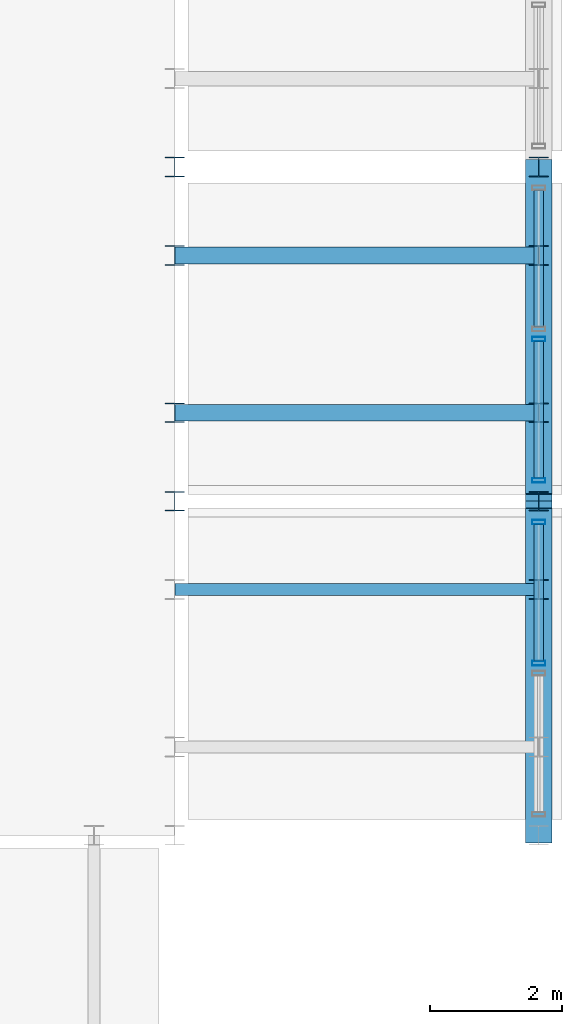
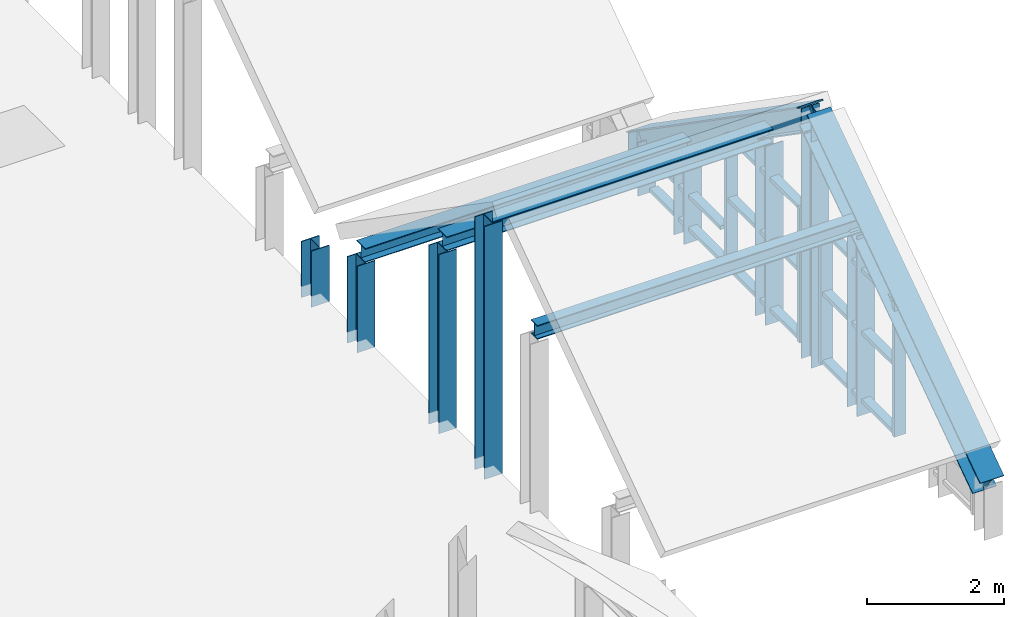
# One storey, part 5 of 21: 26 members, 3 elements without a shape of their own.
"""IFC4 building model written with IfcOpenShell, lengths in metres."""

from ifc_helpers import new_model, si_unit, direction, frame, origin, origin_2d, place, context, subcontext, project, spatial, hollow_rectangle, i_section, extrude, source, transform, mapped, material, layer, layer_set, material_profile, profile_set, type_object, element, aggregate, save


model = new_model("IFC4")

# Units and contexts
model_context = context("Model", 3, precision=1e-05, world=origin(), true_north=direction((0.0, 1.0)))
body_context = subcontext(model_context, "Body", "Model", "MODEL_VIEW")
ifc_project = project(units=[si_unit("LENGTHUNIT", "METRE"), si_unit("AREAUNIT", "SQUARE_METRE"), si_unit("VOLUMEUNIT", "CUBIC_METRE"), si_unit("PLANEANGLEUNIT", "RADIAN"), si_unit("MASSUNIT", "GRAM", prefix="KILO")], contexts=[model_context])

# Site, building, storey
site_placement = place(None, origin())
site = spatial("IfcSite", under=ifc_project, at=site_placement, CompositionType="ELEMENT")
building_placement = place(site_placement, origin())
building = spatial("IfcBuilding", under=site, at=building_placement, Name="Saelheon Loggia Tower", CompositionType="ELEMENT")
storey_placement = place(building_placement, frame((0.0, 0.0, 275.0)))
storey = spatial("IfcBuildingStorey", under=building, at=storey_placement, Name="ROOF", CompositionType="ELEMENT", Elevation=275.0)

# Members
ifc_material_1 = material(Name="Steel SM355", Category="steel")
ifc_material_profile_1 = material_profile(ifc_material_1, i_section(OverallWidth=0.300048828125, OverallDepth=0.300048828125, WebThickness=0.010009765625, FlangeThickness=0.014892578125, at=origin_2d()), Name="H-300x300x10x15")
ifc_profile_set_1 = profile_set([ifc_material_profile_1], Name="Steel SM355")
member_type_1 = type_object("IfcMemberType", Name="WaveCrest_Post_H300", PredefinedType="POST", material=ifc_profile_set_1)
shared_shape_1 = source(origin(), body_context, "Body", "SweptSolid", [
    extrude(i_section(OverallWidth=0.300048828125, OverallDepth=0.300048828125, WebThickness=0.010009765625, FlangeThickness=0.014892578125, at=origin_2d()), origin(), (0.0, 0.0, 1.0), 0.949951171875),
])
member_1_placement = place(storey_placement, frame((52.64990234375, 21.949951171875, -0.14990234375), z_axis=(0.0, 0.0, 1.0), x_axis=(1.0, 0.0, 0.0)))
element("IfcMember", 1, at=member_1_placement, inside=storey, type_object=member_type_1, Name="ROOF Wave Crest Outer Post E 02", PredefinedType="POST", context=body_context, shape_type="MappedRepresentation", body=[
    mapped(shared_shape_1, transform((0.0, 0.0, 0.0), scale=1.0)),
])
ifc_material_profile_2 = material_profile(ifc_material_1, i_section(OverallWidth=0.300048828125, OverallDepth=0.300048828125, WebThickness=0.010009765625, FlangeThickness=0.014892578125, at=origin_2d()), Name="H-300x300x10x15")
ifc_profile_set_2 = profile_set([ifc_material_profile_2], Name="Steel SM355")
member_type_2 = type_object("IfcMemberType", Name="Belt_Post_H300", PredefinedType="POST", material=ifc_profile_set_2)
shared_shape_2 = source(origin(), body_context, "Body", "SweptSolid", [
    extrude(i_section(OverallWidth=0.300048828125, OverallDepth=0.300048828125, WebThickness=0.010009765625, FlangeThickness=0.014892578125, at=origin_2d()), origin(), (0.0, 0.0, 1.0), 1.0),
])
member_2_placement = place(storey_placement, frame((47.14990234375, 21.949951171875, -0.199951171875), z_axis=(0.0, 0.0, 1.0), x_axis=(1.0, 0.0, 0.0)))
element("IfcMember", 2, at=member_2_placement, inside=storey, type_object=member_type_2, Name="ROOF Wave Crest Inner Post E 02", PredefinedType="POST", context=body_context, shape_type="MappedRepresentation", body=[
    mapped(shared_shape_2, transform((0.0, 0.0, 0.0), scale=1.0)),
])
shared_shape_3 = source(origin(), body_context, "Body", "SweptSolid", [
    extrude(i_section(OverallWidth=0.300048828125, OverallDepth=0.300048828125, WebThickness=0.010009765625, FlangeThickness=0.014892578125, at=origin_2d()), origin(), (0.0, 0.0, 1.0), 4.449951171875),
])
member_3_placement = place(storey_placement, frame((52.64990234375, 16.89990234375, -0.14990234375), z_axis=(0.0, 0.0, 1.0), x_axis=(1.0, 0.0, 0.0)))
element("IfcMember", 3, at=member_3_placement, inside=storey, type_object=member_type_1, Name="ROOF Wave Crest Outer Post E 01", PredefinedType="POST", context=body_context, shape_type="MappedRepresentation", body=[
    mapped(shared_shape_3, transform((0.0, 0.0, 0.0), scale=1.0)),
])
shared_shape_4 = source(origin(), body_context, "Body", "SweptSolid", [
    extrude(i_section(OverallWidth=0.300048828125, OverallDepth=0.300048828125, WebThickness=0.010009765625, FlangeThickness=0.014892578125, at=origin_2d()), origin(), (0.0, 0.0, 1.0), 4.5),
])
member_4_placement = place(storey_placement, frame((47.14990234375, 16.89990234375, -0.199951171875), z_axis=(0.0, 0.0, 1.0), x_axis=(1.0, 0.0, 0.0)))
element("IfcMember", 4, at=member_4_placement, inside=storey, type_object=member_type_2, Name="ROOF Wave Crest Inner Post E 01", PredefinedType="POST", context=body_context, shape_type="MappedRepresentation", body=[
    mapped(shared_shape_4, transform((0.0, 0.0, 0.0), scale=1.0)),
])
ifc_material_profile_3 = material_profile(ifc_material_1, i_section(OverallWidth=0.179931640625, OverallDepth=0.25, WebThickness=0.010009765625, FlangeThickness=0.01611328125, at=origin_2d()), Name="H-250x180x10x16")
ifc_profile_set_3 = profile_set([ifc_material_profile_3], Name="Steel SM355")
member_type_3 = type_object("IfcMemberType", Name="Roof_Purlin_RHS250", PredefinedType="PURLIN", material=ifc_profile_set_3)
shared_shape_5 = source(origin(), body_context, "Body", "SweptSolid", [
    extrude(i_section(OverallWidth=0.179931640625, OverallDepth=0.25, WebThickness=0.010009765625, FlangeThickness=0.01611328125, at=origin_2d()), origin(), (0.0, 0.0, 1.0), 5.5),
])
member_5_placement = place(storey_placement, frame((52.64990234375, 15.563232421875, 3.135986328125), z_axis=(-1.0, 0.0, 0.0), x_axis=(0.0, -1.0, 0.0)))
element("IfcMember", 5, at=member_5_placement, inside=storey, type_object=member_type_3, Name="Crown Wave Roof Purlin 07 B", PredefinedType="PURLIN", context=body_context, shape_type="MappedRepresentation", body=[
    mapped(shared_shape_5, transform((0.0, 0.0, 0.0), scale=1.0)),
])
shared_shape_6 = source(origin(), body_context, "Body", "SweptSolid", [
    extrude(i_section(OverallWidth=0.300048828125, OverallDepth=0.300048828125, WebThickness=0.010009765625, FlangeThickness=0.014892578125, at=origin_2d()), origin(), (0.0, 0.0, 1.0), 3.2109375),
])
member_6_placement = place(storey_placement, frame((52.64990234375, 15.563232421875, -0.199951171875), z_axis=(0.0, 0.0, 1.0), x_axis=(1.0, 0.0, 0.0)))
element("IfcMember", 6, at=member_6_placement, inside=storey, type_object=member_type_2, Name="Crown Wave Roof Purlin Support Post 07 B O", PredefinedType="POST", context=body_context, shape_type="MappedRepresentation", body=[
    mapped(shared_shape_6, transform((0.0, 0.0, 0.0), scale=1.0)),
])
ifc_material_profile_4 = material_profile(ifc_material_1, i_section(OverallWidth=0.25, OverallDepth=0.25, WebThickness=0.009033203125, FlangeThickness=0.013916015625, at=origin_2d()), Name="H-250x250x9x14")
ifc_profile_set_4 = profile_set([ifc_material_profile_4], Name="Steel SM355")
member_type_4 = type_object("IfcMemberType", Name="Roof_Purlin_H250", PredefinedType="PURLIN", material=ifc_profile_set_4)
shared_shape_7 = source(origin(), body_context, "Body", "SweptSolid", [
    extrude(i_section(OverallWidth=0.25, OverallDepth=0.25, WebThickness=0.009033203125, FlangeThickness=0.013916015625, at=origin_2d()), origin(), (0.0, 0.0, 1.0), 5.5),
])
for number, where, z_axis, x_axis, name in (
    (7, (52.64990234375, 18.23681640625, 3.11181640625), (-1.0, 0.0, 0.0), (0.0, -1.0, 0.0), "Crown Wave Roof Purlin 08 A"),
    (8, (52.64990234375, 20.61328125, 1.46484375), (-1.0, 0.0, 0.0), (0.0, -1.0, 0.0), "Crown Wave Roof Purlin 08 B"),
):
    element("IfcMember", number, at=place(storey_placement, frame(where, z_axis=z_axis, x_axis=x_axis)), inside=storey, type_object=member_type_4, Name=name, PredefinedType="PURLIN", context=body_context, shape_type="MappedRepresentation", body=[
        mapped(shared_shape_7, transform((0.0, 0.0, 0.0), scale=1.0)),
    ])
shared_shape_8 = source(origin(), body_context, "Body", "SweptSolid", [
    extrude(i_section(OverallWidth=0.300048828125, OverallDepth=0.300048828125, WebThickness=0.010009765625, FlangeThickness=0.014892578125, at=origin_2d()), origin(), (0.0, 0.0, 1.0), 3.186767578125),
])
for number, where, z_axis, x_axis, name in (
    (9, (52.64990234375, 18.23681640625, -0.199951171875), (0.0, 0.0, 1.0), (1.0, 0.0, 0.0), "Crown Wave Roof Purlin Support Post 08 A O"),
    (10, (47.14990234375, 18.23681640625, -0.199951171875), (0.0, 0.0, 1.0), (1.0, 0.0, 0.0), "Crown Wave Roof Purlin Support Post 08 A I"),
):
    element("IfcMember", number, at=place(storey_placement, frame(where, z_axis=z_axis, x_axis=x_axis)), inside=storey, type_object=member_type_2, Name=name, PredefinedType="POST", context=body_context, shape_type="MappedRepresentation", body=[
        mapped(shared_shape_8, transform((0.0, 0.0, 0.0), scale=1.0)),
    ])
shared_shape_9 = source(origin(), body_context, "Body", "SweptSolid", [
    extrude(i_section(OverallWidth=0.300048828125, OverallDepth=0.300048828125, WebThickness=0.010009765625, FlangeThickness=0.014892578125, at=origin_2d()), origin(), (0.0, 0.0, 1.0), 1.539794921875),
])
for number, where, z_axis, x_axis, name in (
    (11, (52.64990234375, 20.61328125, -0.199951171875), (0.0, 0.0, 1.0), (1.0, 0.0, 0.0), "Crown Wave Roof Purlin Support Post 08 B O"),
    (12, (47.14990234375, 20.61328125, -0.199951171875), (0.0, 0.0, 1.0), (1.0, 0.0, 0.0), "Crown Wave Roof Purlin Support Post 08 B I"),
):
    element("IfcMember", number, at=place(storey_placement, frame(where, z_axis=z_axis, x_axis=x_axis)), inside=storey, type_object=member_type_2, Name=name, PredefinedType="POST", context=body_context, shape_type="MappedRepresentation", body=[
        mapped(shared_shape_9, transform((0.0, 0.0, 0.0), scale=1.0)),
    ])
ifc_material_profile_5 = material_profile(ifc_material_1, i_section(OverallWidth=0.39990234375, OverallDepth=0.39990234375, WebThickness=0.012939453125, FlangeThickness=0.02099609375, at=origin_2d()), Name="H-400x400x13x21")
ifc_profile_set_5 = profile_set([ifc_material_profile_5], Name="Steel SM355")
member_type_5 = type_object("IfcMemberType", Name="CrownFrame_Brace_H400", PredefinedType="BRACE", material=ifc_profile_set_5)
shared_shape_10 = source(origin(), body_context, "Body", "SweptSolid", [
    extrude(i_section(OverallWidth=0.39990234375, OverallDepth=0.39990234375, WebThickness=0.012939453125, FlangeThickness=0.02099609375, at=origin_2d()), origin(), (0.0, 0.0, 1.0), 6.14404296875),
])
member_7_placement = place(storey_placement, frame((52.64990234375, 11.85009765625, 0.699951171875), z_axis=(0.0, 0.821888813717, 0.569647942054), x_axis=(-1.0, 0.0, 0.0)))
element("IfcMember", 13, at=member_7_placement, inside=storey, type_object=member_type_5, Name="ROOF CROWN FRAME Wave Crest Cap E 01", PredefinedType="BRACE", context=body_context, shape_type="MappedRepresentation", body=[
    mapped(shared_shape_10, transform((0.0, 0.0, 0.0), scale=1.0)),
])
shared_shape_11 = source(origin(), body_context, "Body", "SweptSolid", [
    extrude(i_section(OverallWidth=0.39990234375, OverallDepth=0.39990234375, WebThickness=0.012939453125, FlangeThickness=0.02099609375, at=origin_2d()), origin(), (0.0, 0.0, 1.0), 6.144287109375),
])
member_8_placement = place(storey_placement, frame((52.64990234375, 16.89990234375, 4.199951171875), z_axis=(0.0, 0.821901707203, -0.569629338867), x_axis=(-1.0, 0.0, 0.0)))
element("IfcMember", 14, at=member_8_placement, inside=storey, type_object=member_type_5, Name="ROOF CROWN FRAME Wave Crest Cap E 02", PredefinedType="BRACE", context=body_context, shape_type="MappedRepresentation", body=[
    mapped(shared_shape_11, transform((0.0, 0.0, 0.0), scale=1.0)),
])

# Curtain wall, members
ifc_material_2 = material(Name="Bronze-Anodised Aluminium and Fritted Ceramic Screen", Category="aluminium")
ifc_layer = layer(ifc_material_2, 0.219970703125)
ifc_layer_set = layer_set([ifc_layer], Name="Bronze-Anodised Aluminium and Fritted Ceramic Screen")
curtain_wall_type = type_object("IfcCurtainWallType", Name="CW_CrownScreen", PredefinedType="NOTDEFINED", material=ifc_layer_set)
curtain_wall_1_placement = place(storey_placement, origin())
curtain_wall_1 = element("IfcCurtainWall", 15, at=curtain_wall_1_placement, inside=storey, type_object=curtain_wall_type, Name="ROOF Wave Crest Curtain Wall E 01-2", PredefinedType="NOTDEFINED")
ifc_material_3 = material(Name="Bronze-Anodised Aluminium 6063-T6", Category="aluminium")
ifc_material_profile_6 = material_profile(ifc_material_3, hollow_rectangle(XDim=0.070068359375, YDim=0.14990234375, WallThickness=0.0048828125, at=origin_2d()), Name="RHS-150x70x5")
ifc_profile_set_6 = profile_set([ifc_material_profile_6], Name="Bronze-Anodised Aluminium 6063-T6")
member_type_6 = type_object("IfcMemberType", Name="CW_CrownScreen_Transom", PredefinedType="USERDEFINED", material=ifc_profile_set_6)
shared_shape_12 = source(origin(), body_context, "Body", "SweptSolid", [
    extrude(hollow_rectangle(XDim=0.070068359375, YDim=0.14990234375, WallThickness=0.0048828125, at=origin_2d()), origin(), (0.0, 0.0, 1.0), 2.06494140625),
])
member_9_placement = place(storey_placement, frame((52.64990234375, 14.485107421875, 0.054931640625), z_axis=(0.0, 1.0, 0.0), x_axis=(0.0, 0.0, 1.0)))
member_9 = element("IfcMember", 16, at=member_9_placement, type_object=member_type_6, Name="CW6 transom 1.1", ObjectType="TRANSOM", PredefinedType="USERDEFINED", context=body_context, shape_type="MappedRepresentation", body=[
    mapped(shared_shape_12, transform((0.0, 0.0, 0.0), scale=1.0)),
])
member_10_placement = place(storey_placement, frame((52.64990234375, 14.485107421875, 1.27001953125), z_axis=(0.0, 1.0, 0.0), x_axis=(0.0, 0.0, 1.0)))
member_10 = element("IfcMember", 17, at=member_10_placement, type_object=member_type_6, Name="CW6 transom 1.2", ObjectType="TRANSOM", PredefinedType="USERDEFINED", context=body_context, shape_type="MappedRepresentation", body=[
    mapped(shared_shape_12, transform((0.0, 0.0, 0.0), scale=1.0)),
])
member_11_placement = place(storey_placement, frame((52.64990234375, 14.485107421875, 2.385009765625), z_axis=(0.0, 1.0, 0.0), x_axis=(0.0, 0.0, 1.0)))
member_11 = element("IfcMember", 18, at=member_11_placement, type_object=member_type_6, Name="CW6 transom 1.3", ObjectType="TRANSOM", PredefinedType="USERDEFINED", context=body_context, shape_type="MappedRepresentation", body=[
    mapped(shared_shape_12, transform((0.0, 0.0, 0.0), scale=1.0)),
])

curtain_wall_2_placement = place(storey_placement, origin())
curtain_wall_2 = element("IfcCurtainWall", 19, at=curtain_wall_2_placement, inside=storey, type_object=curtain_wall_type, Name="ROOF Wave Crest Curtain Wall E 02-1", PredefinedType="NOTDEFINED")
member_12_placement = place(storey_placement, frame((52.64990234375, 17.25, 0.054931640625), z_axis=(0.0, 1.0, 0.0), x_axis=(0.0, 0.0, 1.0)))
member_12 = element("IfcMember", 20, at=member_12_placement, type_object=member_type_6, Name="CW6 transom 1.1", ObjectType="TRANSOM", PredefinedType="USERDEFINED", context=body_context, shape_type="MappedRepresentation", body=[
    mapped(shared_shape_12, transform((0.0, 0.0, 0.0), scale=1.0)),
])
member_13_placement = place(storey_placement, frame((52.64990234375, 17.25, 1.27001953125), z_axis=(0.0, 1.0, 0.0), x_axis=(0.0, 0.0, 1.0)))
member_13 = element("IfcMember", 21, at=member_13_placement, type_object=member_type_6, Name="CW6 transom 1.2", ObjectType="TRANSOM", PredefinedType="USERDEFINED", context=body_context, shape_type="MappedRepresentation", body=[
    mapped(shared_shape_12, transform((0.0, 0.0, 0.0), scale=1.0)),
])
member_14_placement = place(storey_placement, frame((52.64990234375, 17.25, 2.385009765625), z_axis=(0.0, 1.0, 0.0), x_axis=(0.0, 0.0, 1.0)))
member_14 = element("IfcMember", 22, at=member_14_placement, type_object=member_type_6, Name="CW6 transom 1.3", ObjectType="TRANSOM", PredefinedType="USERDEFINED", context=body_context, shape_type="MappedRepresentation", body=[
    mapped(shared_shape_12, transform((0.0, 0.0, 0.0), scale=1.0)),
])

# Member
ifc_material_profile_7 = material_profile(ifc_material_3, hollow_rectangle(XDim=0.070068359375, YDim=0.199951171875, WallThickness=0.0048828125, at=origin_2d()), Name="RHS-200x70x5")
ifc_profile_set_7 = profile_set([ifc_material_profile_7], Name="Bronze-Anodised Aluminium 6063-T6")
member_type_7 = type_object("IfcMemberType", Name="CW_CrownScreen_Mullion", PredefinedType="MULLION", material=ifc_profile_set_7)
shared_shape_13 = source(origin(), body_context, "Body", "SweptSolid", [
    extrude(hollow_rectangle(XDim=0.070068359375, YDim=0.199951171875, WallThickness=0.0048828125, at=origin_2d()), origin(), (0.0, 0.0, 1.0), 2.39990234375),
])
member_15_placement = place(storey_placement, frame((52.64990234375, 14.449951171875, 0.02001953125), z_axis=(0.0, 0.0, 1.0), x_axis=(0.0, 1.0, 0.0)))
member_15 = element("IfcMember", 23, at=member_15_placement, type_object=member_type_7, Name="CW6 mullion 1", PredefinedType="MULLION", context=body_context, shape_type="MappedRepresentation", body=[
    mapped(shared_shape_13, transform((0.0, 0.0, 0.0), scale=1.0)),
])

member_16_placement = place(storey_placement, frame((52.64990234375, 16.5849609375, 0.02001953125), z_axis=(0.0, 0.0, 1.0), x_axis=(0.0, 1.0, 0.0)))
member_16 = element("IfcMember", 24, at=member_16_placement, type_object=member_type_7, Name="CW6 mullion 2", PredefinedType="MULLION", context=body_context, shape_type="MappedRepresentation", body=[
    mapped(shared_shape_13, transform((0.0, 0.0, 0.0), scale=1.0)),
])

aggregate(curtain_wall_1, [member_15, member_16, member_9, member_10, member_11])

member_17_placement = place(storey_placement, frame((52.64990234375, 17.215087890625, 0.02001953125), z_axis=(0.0, 0.0, 1.0), x_axis=(0.0, 1.0, 0.0)))
member_17 = element("IfcMember", 25, at=member_17_placement, type_object=member_type_7, Name="CW6 mullion 1", PredefinedType="MULLION", context=body_context, shape_type="MappedRepresentation", body=[
    mapped(shared_shape_13, transform((0.0, 0.0, 0.0), scale=1.0)),
])

member_18_placement = place(storey_placement, frame((52.64990234375, 19.35009765625, 0.02001953125), z_axis=(0.0, 0.0, 1.0), x_axis=(0.0, 1.0, 0.0)))
member_18 = element("IfcMember", 26, at=member_18_placement, type_object=member_type_7, Name="CW6 mullion 2", PredefinedType="MULLION", context=body_context, shape_type="MappedRepresentation", body=[
    mapped(shared_shape_13, transform((0.0, 0.0, 0.0), scale=1.0)),
])

aggregate(curtain_wall_2, [member_17, member_18, member_12, member_13, member_14])

# Curtain wall, members
curtain_wall_3_placement = place(storey_placement, origin())
curtain_wall_3 = element("IfcCurtainWall", 27, at=curtain_wall_3_placement, inside=storey, type_object=curtain_wall_type, Name="ROOF Wave Crest Curtain Wall E 02-2", PredefinedType="NOTDEFINED")
shared_shape_14 = source(origin(), body_context, "Body", "SweptSolid", [
    extrude(hollow_rectangle(XDim=0.070068359375, YDim=0.14990234375, WallThickness=0.0048828125, at=origin_2d()), origin(), (0.0, 0.0, 1.0), 2.065185546875),
])
member_19_placement = place(storey_placement, frame((52.64990234375, 19.534912109375, 0.054931640625), z_axis=(0.0, 1.0, 0.0), x_axis=(0.0, 0.0, 1.0)))
member_19 = element("IfcMember", 28, at=member_19_placement, type_object=member_type_6, Name="CW6 transom 1.1", ObjectType="TRANSOM", PredefinedType="USERDEFINED", context=body_context, shape_type="MappedRepresentation", body=[
    mapped(shared_shape_14, transform((0.0, 0.0, 0.0), scale=1.0)),
])
member_20_placement = place(storey_placement, frame((52.64990234375, 19.534912109375, 0.635009765625), z_axis=(0.0, 1.0, 0.0), x_axis=(0.0, 0.0, 1.0)))
member_20 = element("IfcMember", 29, at=member_20_placement, type_object=member_type_6, Name="CW6 transom 1.2", ObjectType="TRANSOM", PredefinedType="USERDEFINED", context=body_context, shape_type="MappedRepresentation", body=[
    mapped(shared_shape_14, transform((0.0, 0.0, 0.0), scale=1.0)),
])
aggregate(curtain_wall_3, [member_19, member_20])

save(model, "model.ifc")
